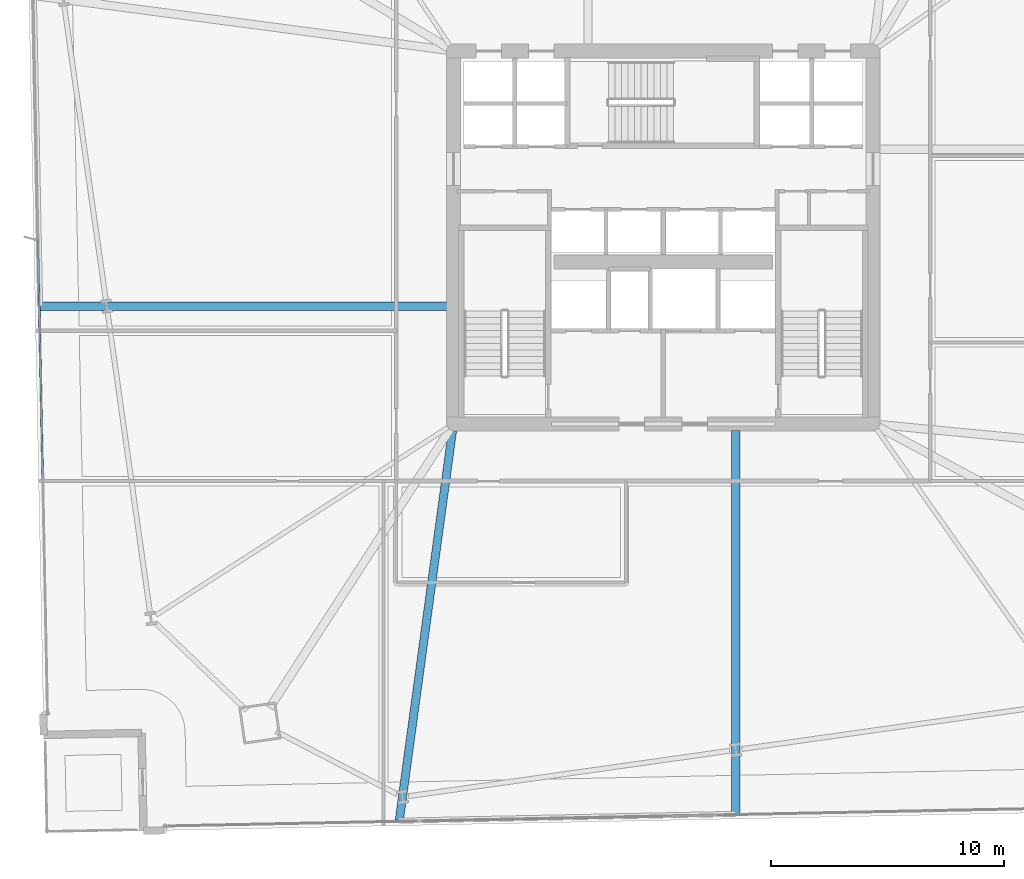
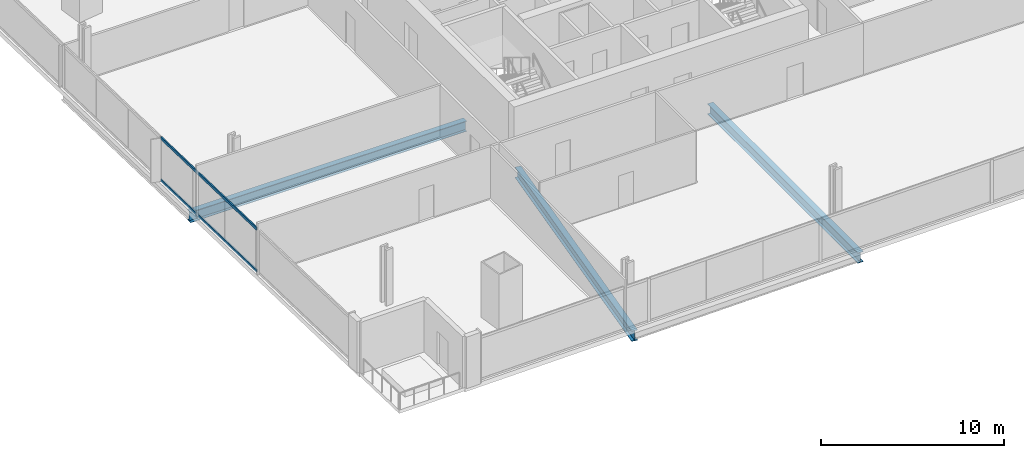
# One storey, part 7 of 35: 3 beams, 2 members, 1 element without a shape of its own.
"""IFC4 building model written with IfcOpenShell, lengths in metres."""

from ifc_helpers import new_model, si_unit, direction, frame, origin, origin_2d, place, context, subcontext, project, spatial, hollow_rectangle, i_section, extrude, material, material_profile, profile_set, type_object, element, aggregate, save


model = new_model("IFC4")

# Units and contexts
model_context = context("Model", 3, precision=1e-05, world=origin(), true_north=direction((0.0, 1.0)))
body_context = subcontext(model_context, "Body", "Model", "MODEL_VIEW")
ifc_project = project(units=[si_unit("LENGTHUNIT", "METRE"), si_unit("AREAUNIT", "SQUARE_METRE"), si_unit("VOLUMEUNIT", "CUBIC_METRE"), si_unit("PLANEANGLEUNIT", "RADIAN"), si_unit("MASSUNIT", "GRAM", prefix="KILO")], contexts=[model_context])

# Site, building, storey
site_placement = place(None, origin())
site = spatial("IfcSite", under=ifc_project, at=site_placement, CompositionType="ELEMENT")
building_placement = place(site_placement, origin())
building = spatial("IfcBuilding", under=site, at=building_placement, Name="Haldenkirk Collegiate Tower", CompositionType="ELEMENT")
storey_placement = place(building_placement, frame((0.0, 0.0, 32.699951171875)))
storey = spatial("IfcBuildingStorey", under=building, at=storey_placement, Name="L06", CompositionType="ELEMENT", Elevation=32.699951171875)

# Beams
ifc_material_1 = material(Name="Steel ASTM A992 Grade 50", Category="steel")
ifc_material_profile_1 = material_profile(ifc_material_1, i_section(OverallWidth=0.35498046875, OverallDepth=0.696044921875, WebThickness=0.015380859375, FlangeThickness=0.02490234375, at=origin_2d()), Name="W27X146")
ifc_profile_set_1 = profile_set([ifc_material_profile_1], Name="Steel ASTM A992 Grade 50")
beam_type = type_object("IfcBeamType", Name="BM-GIRDER-W27X146", PredefinedType="BEAM", material=ifc_profile_set_1)
beam_1_placement = place(storey_placement, frame((24.67724609375, 0.98779296875, -0.657958984375), z_axis=(0.135280911726, 0.990807284452, 0.0), x_axis=(-0.990807284452, 0.135280911726, 0.0)))
element("IfcBeam", 1, at=beam_1_placement, inside=storey, type_object=beam_type, Name="L06 primary floor girder 05", PredefinedType="BEAM", context=body_context, shape_type="SweptSolid", body=[
    extrude(i_section(OverallWidth=0.35498046875, OverallDepth=0.696044921875, WebThickness=0.015380859375, FlangeThickness=0.02490234375, at=origin_2d()), origin(), (0.0, 0.0, 1.0), 16.89013671875),
])
beam_2_placement = place(storey_placement, frame((39.10888671875, 1.27734375, -0.657958984375), z_axis=(0.0, 1.0, 0.0), x_axis=(-1.0, 0.0, 0.0)))
element("IfcBeam", 2, at=beam_2_placement, inside=storey, type_object=beam_type, Name="L06 primary floor girder 06", PredefinedType="BEAM", context=body_context, shape_type="SweptSolid", body=[
    extrude(i_section(OverallWidth=0.35498046875, OverallDepth=0.696044921875, WebThickness=0.015380859375, FlangeThickness=0.02490234375, at=origin_2d()), origin(), (0.0, 0.0, 1.0), 16.442626953125),
])
beam_3_placement = place(storey_placement, frame((9.273681640625, 23.052978515625, -0.657958984375), z_axis=(1.0, 0.0, 0.0), x_axis=(0.0, 1.0, 0.0)))
element("IfcBeam", 3, at=beam_3_placement, inside=storey, type_object=beam_type, Name="L06 primary floor girder 15", PredefinedType="BEAM", context=body_context, shape_type="SweptSolid", body=[
    extrude(i_section(OverallWidth=0.35498046875, OverallDepth=0.696044921875, WebThickness=0.015380859375, FlangeThickness=0.02490234375, at=origin_2d()), origin(), (0.0, 0.0, 1.0), 17.4462890625),
])

# Curtain wall, members
ifc_material_2 = material(Name="Anodised architectural bronze aluminium", Category="aluminium")
curtain_wall_type = type_object("IfcCurtainWallType", Name="CW-SYS1-CONVEX-LOW", PredefinedType="USERDEFINED", material=ifc_material_2)
curtain_wall_placement = place(storey_placement, origin())
curtain_wall = element("IfcCurtainWall", 4, at=curtain_wall_placement, inside=storey, type_object=curtain_wall_type, Name="L06 Lower tower convex bronze-framed unitised curtain wall", ObjectType="UNITISED CURTAIN WALL", PredefinedType="USERDEFINED")
ifc_material_profile_2 = material_profile(ifc_material_2, hollow_rectangle(XDim=0.080078125, YDim=0.179931640625, WallThickness=0.0048828125, at=origin_2d()), Name="CW-TRN-1A")
ifc_profile_set_2 = profile_set([ifc_material_profile_2], Name="Anodised architectural bronze aluminium")
member_type = type_object("IfcMemberType", Name="CW-TRN-1A", PredefinedType="USERDEFINED", material=ifc_profile_set_2)
member_1_placement = place(storey_placement, frame((9.37939453125, 15.8037109375, 0.0400390625), z_axis=(-0.020071722306, 0.999798542689, 0.0), x_axis=(-0.999798542689, -0.020071722306, 0.0)))
member_1 = element("IfcMember", 5, at=member_1_placement, type_object=member_type, Name="CW-1A transom 2.1", ObjectType="TRANSOM", PredefinedType="USERDEFINED", context=body_context, shape_type="SweptSolid", body=[
    extrude(hollow_rectangle(XDim=0.080078125, YDim=0.179931640625, WallThickness=0.0048828125, at=origin_2d()), origin(), (0.0, 0.0, 1.0), 10.119873046875),
])
member_2_placement = place(storey_placement, frame((9.37939453125, 15.8037109375, 2.85107421875), z_axis=(-0.020071722306, 0.999798542689, 0.0), x_axis=(-0.999798542689, -0.020071722306, 0.0)))
member_2 = element("IfcMember", 6, at=member_2_placement, type_object=member_type, Name="CW-1A transom 2.2", ObjectType="TRANSOM", PredefinedType="USERDEFINED", context=body_context, shape_type="SweptSolid", body=[
    extrude(hollow_rectangle(XDim=0.080078125, YDim=0.179931640625, WallThickness=0.0048828125, at=origin_2d()), origin(), (0.0, 0.0, 1.0), 10.119873046875),
])
aggregate(curtain_wall, [member_1, member_2])

save(model, "model.ifc")
